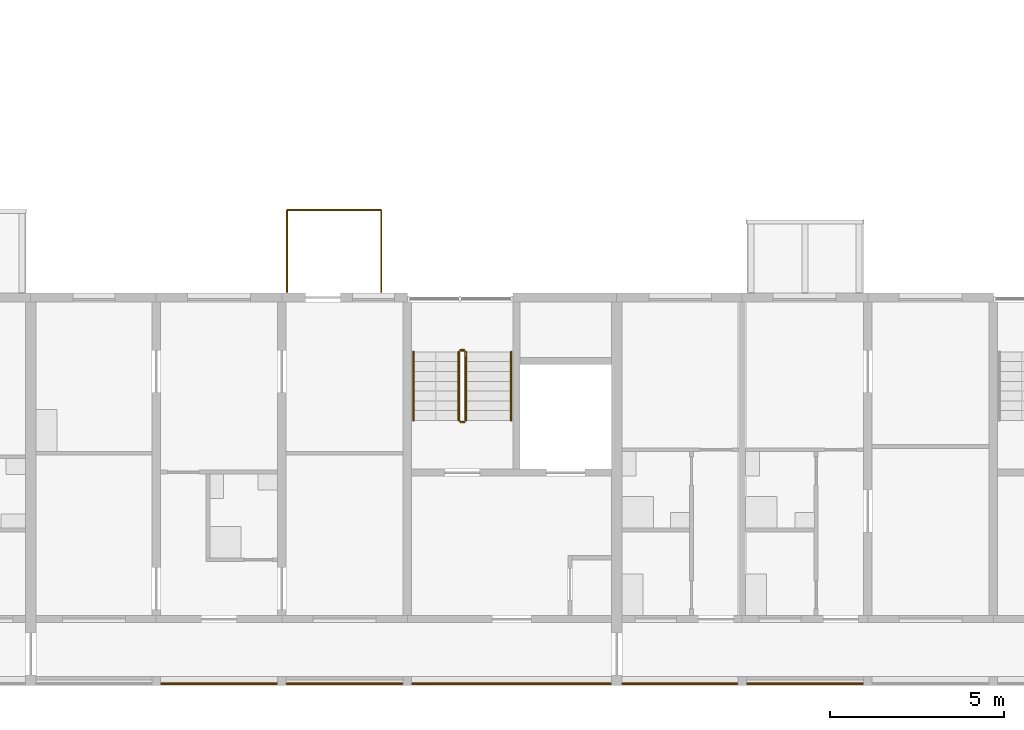
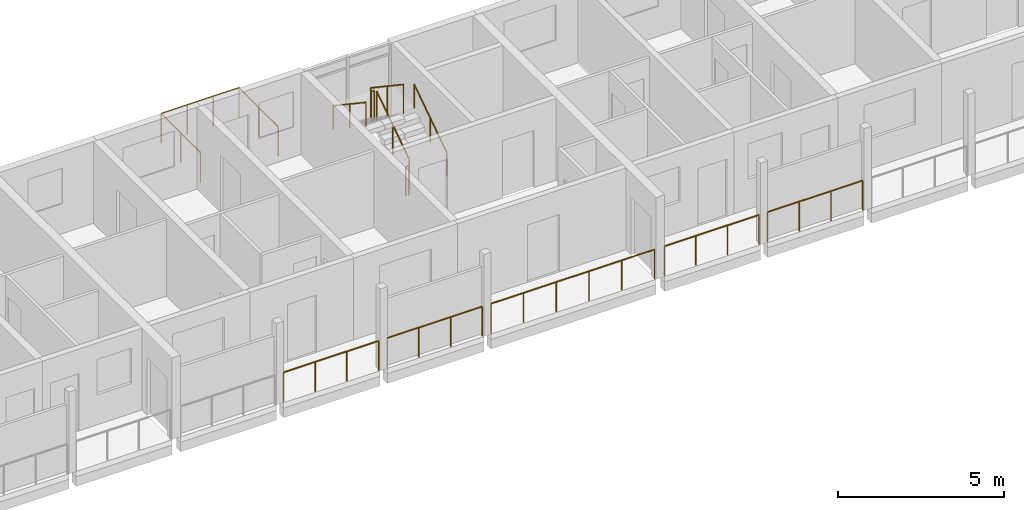
# One storey, part 88 of 98: 12 railings.
"""IFC4 building model written with IfcOpenShell, lengths in metres."""

from ifc_helpers import new_model, si_unit, direction, frame, origin, origin_2d, place, context, subcontext, project, spatial, circle, extrude, material, type_object, element, save


model = new_model("IFC4")

# Units and contexts
model_context = context("Model", 3, precision=1e-05, world=origin(), true_north=direction((0.0, 1.0)))
body_context = subcontext(model_context, "Body", "Model", "MODEL_VIEW")
ifc_project = project(units=[si_unit("LENGTHUNIT", "METRE"), si_unit("AREAUNIT", "SQUARE_METRE"), si_unit("VOLUMEUNIT", "CUBIC_METRE"), si_unit("PLANEANGLEUNIT", "RADIAN"), si_unit("MASSUNIT", "GRAM", prefix="KILO")], contexts=[model_context])

# Site, building, storey
site_placement = place(None, origin())
site = spatial("IfcSite", under=ifc_project, at=site_placement, CompositionType="ELEMENT")
building_placement = place(site_placement, origin())
building = spatial("IfcBuilding", under=site, at=building_placement, Name="Ridgestep Commons", CompositionType="ELEMENT")
storey_placement = place(building_placement, frame((0.0, 0.0, 12.0)))
storey = spatial("IfcBuildingStorey", under=building, at=storey_placement, Name="L04", CompositionType="ELEMENT", Elevation=12.0)

# Railings
ifc_material_1 = material(Name="Structural steel S355JR", Category="steel")
railing_type_1 = type_object("IfcRailingType", Name="Guard 1100", PredefinedType="GUARDRAIL", material=ifc_material_1)
railing_1_placement = place(storey_placement, frame((184.14599609375, 11.800048828125, 0.0)))
element("IfcRailing", 1, at=railing_1_placement, inside=storey, type_object=railing_type_1, Name="Gallery guard D 04.10", PredefinedType="GUARDRAIL", context=body_context, shape_type="SweptSolid", body=[
    extrude(circle(Radius=0.02392578125, at=origin_2d()), frame((0.0, 0.0, 1.076171875), z_axis=(1.0, 0.0, 0.0), x_axis=(0.0, 1.0, 0.0)), (0.0, 0.0, 1.0), 3.30810546875),
    extrude(circle(Radius=0.02099609375, at=origin_2d()), origin(), (0.0, 0.0, 1.0), 1.052001953125),
    extrude(circle(Radius=0.02099609375, at=origin_2d()), frame((1.102783203125, 0.0, 0.0)), (0.0, 0.0, 1.0), 1.052001953125),
    extrude(circle(Radius=0.02099609375, at=origin_2d()), frame((2.205322265625, 0.0, 0.0)), (0.0, 0.0, 1.0), 1.052001953125),
    extrude(circle(Radius=0.02099609375, at=origin_2d()), frame((3.30810546875, 0.0, 0.0)), (0.0, 0.0, 1.0), 1.052001953125),
])
railing_2_placement = place(storey_placement, frame((187.74609375, 11.800048828125, 0.0)))
element("IfcRailing", 2, at=railing_2_placement, inside=storey, type_object=railing_type_1, Name="Gallery guard D 04.11", PredefinedType="GUARDRAIL", context=body_context, shape_type="SweptSolid", body=[
    extrude(circle(Radius=0.02392578125, at=origin_2d()), frame((0.0, 0.0, 1.076171875), z_axis=(1.0, 0.0, 0.0), x_axis=(0.0, 1.0, 0.0)), (0.0, 0.0, 1.0), 3.307861328125),
    extrude(circle(Radius=0.02099609375, at=origin_2d()), origin(), (0.0, 0.0, 1.0), 1.052001953125),
    extrude(circle(Radius=0.02099609375, at=origin_2d()), frame((1.1025390625, 0.0, 0.0)), (0.0, 0.0, 1.0), 1.052001953125),
    extrude(circle(Radius=0.02099609375, at=origin_2d()), frame((2.205322265625, 0.0, 0.0)), (0.0, 0.0, 1.0), 1.052001953125),
    extrude(circle(Radius=0.02099609375, at=origin_2d()), frame((3.307861328125, 0.0, 0.0)), (0.0, 0.0, 1.0), 1.052001953125),
])
railing_3_placement = place(storey_placement, frame((191.345947265625, 11.800048828125, 0.0)))
element("IfcRailing", 3, at=railing_3_placement, inside=storey, type_object=railing_type_1, Name="Gallery guard D 04.12", PredefinedType="GUARDRAIL", context=body_context, shape_type="SweptSolid", body=[
    extrude(circle(Radius=0.02392578125, at=origin_2d()), frame((0.0, 0.0, 1.076171875), z_axis=(1.0, 0.0, 0.0), x_axis=(0.0, 1.0, 0.0)), (0.0, 0.0, 1.0), 5.68310546875),
    extrude(circle(Radius=0.02099609375, at=origin_2d()), origin(), (0.0, 0.0, 1.0), 1.052001953125),
    extrude(circle(Radius=0.02099609375, at=origin_2d()), frame((1.13671875, 0.0, 0.0)), (0.0, 0.0, 1.0), 1.052001953125),
    extrude(circle(Radius=0.02099609375, at=origin_2d()), frame((2.273193359375, 0.0, 0.0)), (0.0, 0.0, 1.0), 1.052001953125),
    extrude(circle(Radius=0.02099609375, at=origin_2d()), frame((3.409912109375, 0.0, 0.0)), (0.0, 0.0, 1.0), 1.052001953125),
    extrude(circle(Radius=0.02099609375, at=origin_2d()), frame((4.54638671875, 0.0, 0.0)), (0.0, 0.0, 1.0), 1.052001953125),
    extrude(circle(Radius=0.02099609375, at=origin_2d()), frame((5.68310546875, 0.0, 0.0)), (0.0, 0.0, 1.0), 1.052001953125),
])
railing_4_placement = place(storey_placement, frame((197.37109375, 11.800048828125, 0.0)))
element("IfcRailing", 4, at=railing_4_placement, inside=storey, type_object=railing_type_1, Name="Gallery guard D 04.13", PredefinedType="GUARDRAIL", context=body_context, shape_type="SweptSolid", body=[
    extrude(circle(Radius=0.02392578125, at=origin_2d()), frame((0.0, 0.0, 1.076171875), z_axis=(1.0, 0.0, 0.0), x_axis=(0.0, 1.0, 0.0)), (0.0, 0.0, 1.0), 3.282958984375),
    extrude(circle(Radius=0.02099609375, at=origin_2d()), origin(), (0.0, 0.0, 1.0), 1.052001953125),
    extrude(circle(Radius=0.02099609375, at=origin_2d()), frame((1.09423828125, 0.0, 0.0)), (0.0, 0.0, 1.0), 1.052001953125),
    extrude(circle(Radius=0.02099609375, at=origin_2d()), frame((2.188720703125, 0.0, 0.0)), (0.0, 0.0, 1.0), 1.052001953125),
    extrude(circle(Radius=0.02099609375, at=origin_2d()), frame((3.282958984375, 0.0, 0.0)), (0.0, 0.0, 1.0), 1.052001953125),
])
railing_5_placement = place(storey_placement, frame((200.946044921875, 11.800048828125, 0.0)))
element("IfcRailing", 5, at=railing_5_placement, inside=storey, type_object=railing_type_1, Name="Gallery guard D 04.14", PredefinedType="GUARDRAIL", context=body_context, shape_type="SweptSolid", body=[
    extrude(circle(Radius=0.02392578125, at=origin_2d()), frame((0.0, 0.0, 1.076171875), z_axis=(1.0, 0.0, 0.0), x_axis=(0.0, 1.0, 0.0)), (0.0, 0.0, 1.0), 3.307861328125),
    extrude(circle(Radius=0.02099609375, at=origin_2d()), origin(), (0.0, 0.0, 1.0), 1.052001953125),
    extrude(circle(Radius=0.02099609375, at=origin_2d()), frame((1.1025390625, 0.0, 0.0)), (0.0, 0.0, 1.0), 1.052001953125),
    extrude(circle(Radius=0.02099609375, at=origin_2d()), frame((2.205322265625, 0.0, 0.0)), (0.0, 0.0, 1.0), 1.052001953125),
    extrude(circle(Radius=0.02099609375, at=origin_2d()), frame((3.307861328125, 0.0, 0.0)), (0.0, 0.0, 1.0), 1.052001953125),
])
ifc_material_2 = material(Name="Structural steel S355JR", Category="steel")
railing_type_2 = type_object("IfcRailingType", Name="Stair guard 1100", PredefinedType="GUARDRAIL", material=ifc_material_2)
railing_6_placement = place(storey_placement, frame((192.875, 19.35009765625, 0.1875)))
element("IfcRailing", 6, at=railing_6_placement, inside=storey, type_object=railing_type_2, Name="L04 D3C stair guard 1", PredefinedType="GUARDRAIL", context=body_context, shape_type="SweptSolid", body=[
    extrude(circle(Radius=0.02392578125, at=origin_2d()), frame((0.0, 0.0, 1.076171875), z_axis=(0.0, 0.830902050051, 0.556418712142), x_axis=(-1.0, 0.0, 0.0)), (0.0, 0.0, 1.0), 2.35888671875),
    extrude(circle(Radius=0.02099609375, at=origin_2d()), origin(), (0.0, 0.0, 1.0), 1.052001953125),
    extrude(circle(Radius=0.02099609375, at=origin_2d()), frame((0.0, 0.97998046875, 0.65625)), (0.0, 0.0, 1.0), 1.052001953125),
    extrude(circle(Radius=0.02099609375, at=origin_2d()), frame((0.0, 1.9599609375, 1.3125)), (0.0, 0.0, 1.0), 1.052001953125),
])
railing_7_placement = place(storey_placement, frame((192.824951171875, 21.360107421875, 1.5)))
element("IfcRailing", 7, at=railing_7_placement, inside=storey, type_object=railing_type_2, Name="L04 D3C stair guard 2", PredefinedType="GUARDRAIL", context=body_context, shape_type="SweptSolid", body=[
    extrude(circle(Radius=0.02392578125, at=origin_2d()), frame((0.0, 0.0, 1.076171875), z_axis=(-1.0, 0.0, 0.0), x_axis=(0.0, -1.0, 0.0)), (0.0, 0.0, 1.0), 0.099853515625),
    extrude(circle(Radius=0.02099609375, at=origin_2d()), origin(), (0.0, 0.0, 1.0), 1.052001953125),
    extrude(circle(Radius=0.02099609375, at=origin_2d()), frame((-0.099853515625, 0.0, 0.0)), (0.0, 0.0, 1.0), 1.052001953125),
])
railing_8_placement = place(storey_placement, frame((192.675048828125, 21.31005859375, 1.6875)))
element("IfcRailing", 8, at=railing_8_placement, inside=storey, type_object=railing_type_2, Name="L04 D3C stair guard 3", PredefinedType="GUARDRAIL", context=body_context, shape_type="SweptSolid", body=[
    extrude(circle(Radius=0.02392578125, at=origin_2d()), frame((0.0, 0.0, 1.076171875), z_axis=(0.0, -0.830902050051, 0.556418712142), x_axis=(1.0, 0.0, 0.0)), (0.0, 0.0, 1.0), 2.35888671875),
    extrude(circle(Radius=0.02099609375, at=origin_2d()), origin(), (0.0, 0.0, 1.0), 1.052001953125),
    extrude(circle(Radius=0.02099609375, at=origin_2d()), frame((0.0, -0.97998046875, 0.65625)), (0.0, 0.0, 1.0), 1.052001953125),
    extrude(circle(Radius=0.02099609375, at=origin_2d()), frame((0.0, -1.9599609375, 1.3125)), (0.0, 0.0, 1.0), 1.052001953125),
])
railing_9_placement = place(storey_placement, frame((192.824951171875, 19.300048828125, 0.0)))
element("IfcRailing", 9, at=railing_9_placement, inside=storey, type_object=railing_type_2, Name="L04 D3C stair guard 4", PredefinedType="GUARDRAIL", context=body_context, shape_type="SweptSolid", body=[
    extrude(circle(Radius=0.02392578125, at=origin_2d()), frame((0.0, 0.0, 1.076171875), z_axis=(-1.0, 0.0, 0.0), x_axis=(0.0, -1.0, 0.0)), (0.0, 0.0, 1.0), 0.099853515625),
    extrude(circle(Radius=0.02099609375, at=origin_2d()), origin(), (0.0, 0.0, 1.0), 1.052001953125),
    extrude(circle(Radius=0.02099609375, at=origin_2d()), frame((-0.099853515625, 0.0, 0.0)), (0.0, 0.0, 1.0), 1.052001953125),
])
ifc_material_3 = material(Name="Structural steel S355JR", Category="steel")
railing_type_3 = type_object("IfcRailingType", Name="Stair handrail 900", PredefinedType="HANDRAIL", material=ifc_material_3)
railing_10_placement = place(storey_placement, frame((194.175048828125, 19.35009765625, 0.1875)))
element("IfcRailing", 10, at=railing_10_placement, inside=storey, type_object=railing_type_3, Name="L04 D3C stair handrail 1", PredefinedType="HANDRAIL", context=body_context, shape_type="SweptSolid", body=[
    extrude(circle(Radius=0.02392578125, at=origin_2d()), frame((0.0, 0.0, 0.8759765625), z_axis=(0.0, 0.830902050051, 0.556418712142), x_axis=(-1.0, 0.0, 0.0)), (0.0, 0.0, 1.0), 2.35888671875),
    extrude(circle(Radius=0.02099609375, at=origin_2d()), origin(), (0.0, 0.0, 1.0), 0.851806640625),
    extrude(circle(Radius=0.02099609375, at=origin_2d()), frame((0.0, 0.97998046875, 0.65625)), (0.0, 0.0, 1.0), 0.851806640625),
    extrude(circle(Radius=0.02099609375, at=origin_2d()), frame((0.0, 1.9599609375, 1.3125)), (0.0, 0.0, 1.0), 0.851806640625),
])
railing_11_placement = place(storey_placement, frame((191.375, 21.31005859375, 1.6875)))
element("IfcRailing", 11, at=railing_11_placement, inside=storey, type_object=railing_type_3, Name="L04 D3C stair handrail 2", PredefinedType="HANDRAIL", context=body_context, shape_type="SweptSolid", body=[
    extrude(circle(Radius=0.02392578125, at=origin_2d()), frame((0.0, 0.0, 0.8759765625), z_axis=(0.0, -0.830902050051, 0.556418712142), x_axis=(1.0, 0.0, 0.0)), (0.0, 0.0, 1.0), 2.35888671875),
    extrude(circle(Radius=0.02099609375, at=origin_2d()), origin(), (0.0, 0.0, 1.0), 0.851806640625),
    extrude(circle(Radius=0.02099609375, at=origin_2d()), frame((0.0, -0.97998046875, 0.65625)), (0.0, 0.0, 1.0), 0.851806640625),
    extrude(circle(Radius=0.02099609375, at=origin_2d()), frame((0.0, -1.9599609375, 1.3125)), (0.0, 0.0, 1.0), 0.851806640625),
])
ifc_material_4 = material(Name="Weathering steel S355J2W", Category="steel")
railing_type_4 = type_object("IfcRailingType", Name="Tray guard 1100", PredefinedType="GUARDRAIL", material=ifc_material_4)
railing_12_placement = place(storey_placement, frame((187.7509765625, 23.02099609375, 0.0)))
element("IfcRailing", 12, at=railing_12_placement, inside=storey, type_object=railing_type_4, Name="Tray guard D3T3-04", PredefinedType="GUARDRAIL", context=body_context, shape_type="SweptSolid", body=[
    extrude(circle(Radius=0.02392578125, at=origin_2d()), frame((0.0, 0.0, 1.076171875), z_axis=(0.0, 1.0, 0.0), x_axis=(-1.0, 0.0, 0.0)), (0.0, 0.0, 1.0), 2.35791015625),
    extrude(circle(Radius=0.02392578125, at=origin_2d()), frame((0.0, 2.35791015625, 1.076171875), z_axis=(1.0, 0.0, 0.0), x_axis=(0.0, 1.0, 0.0)), (0.0, 0.0, 1.0), 2.697998046875),
    extrude(circle(Radius=0.02392578125, at=origin_2d()), frame((2.697998046875, 2.35791015625, 1.076171875), z_axis=(0.0, -1.0, 0.0), x_axis=(1.0, 0.0, 0.0)), (0.0, 0.0, 1.0), 2.35791015625),
    extrude(circle(Radius=0.02099609375, at=origin_2d()), origin(), (0.0, 0.0, 1.0), 1.052001953125),
    extrude(circle(Radius=0.02099609375, at=origin_2d()), frame((0.0, 1.178955078125, 0.0)), (0.0, 0.0, 1.0), 1.052001953125),
    extrude(circle(Radius=0.02099609375, at=origin_2d()), frame((0.0, 2.35791015625, 0.0)), (0.0, 0.0, 1.0), 1.052001953125),
    extrude(circle(Radius=0.02099609375, at=origin_2d()), frame((0.8994140625, 2.35791015625, 0.0)), (0.0, 0.0, 1.0), 1.052001953125),
    extrude(circle(Radius=0.02099609375, at=origin_2d()), frame((1.798583984375, 2.35791015625, 0.0)), (0.0, 0.0, 1.0), 1.052001953125),
    extrude(circle(Radius=0.02099609375, at=origin_2d()), frame((2.697998046875, 2.35791015625, 0.0)), (0.0, 0.0, 1.0), 1.052001953125),
    extrude(circle(Radius=0.02099609375, at=origin_2d()), frame((2.697998046875, 1.178955078125, 0.0)), (0.0, 0.0, 1.0), 1.052001953125),
    extrude(circle(Radius=0.02099609375, at=origin_2d()), frame((2.697998046875, 0.0, 0.0)), (0.0, 0.0, 1.0), 1.052001953125),
])

save(model, "model.ifc")
